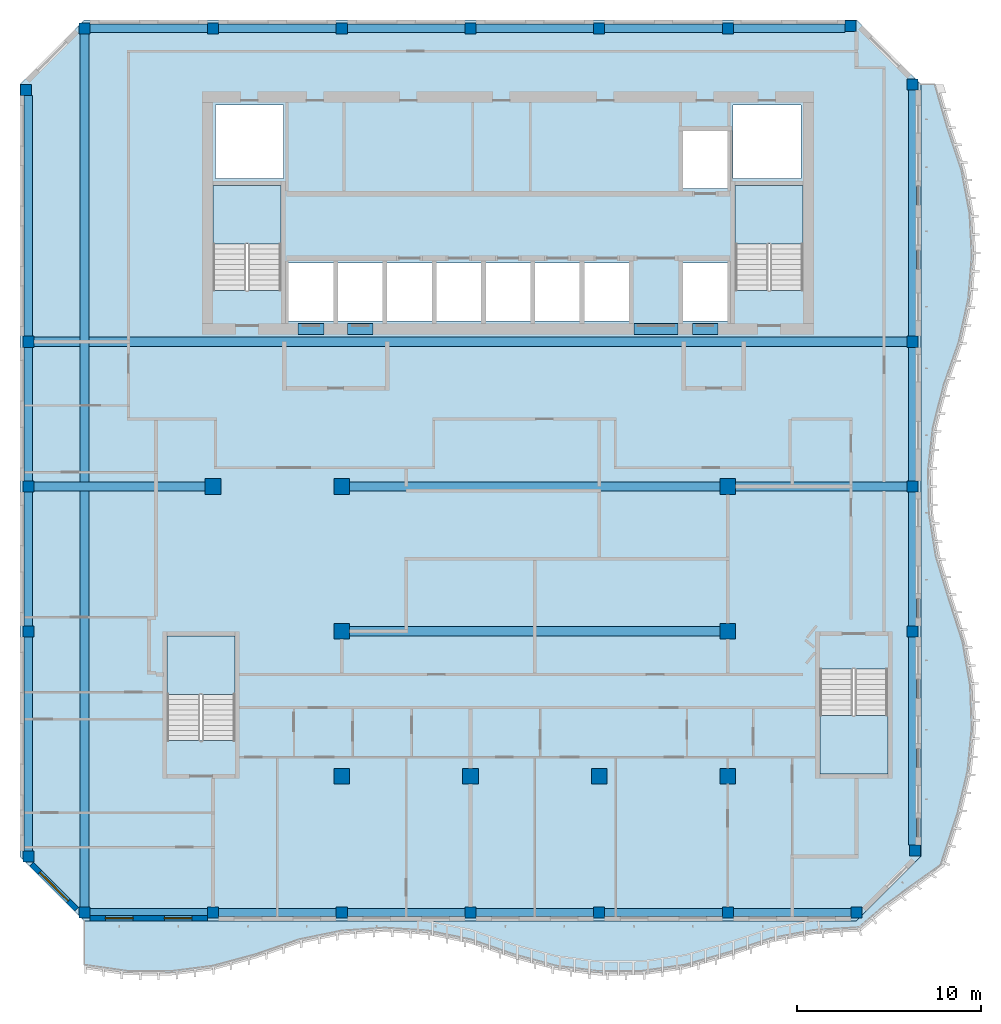
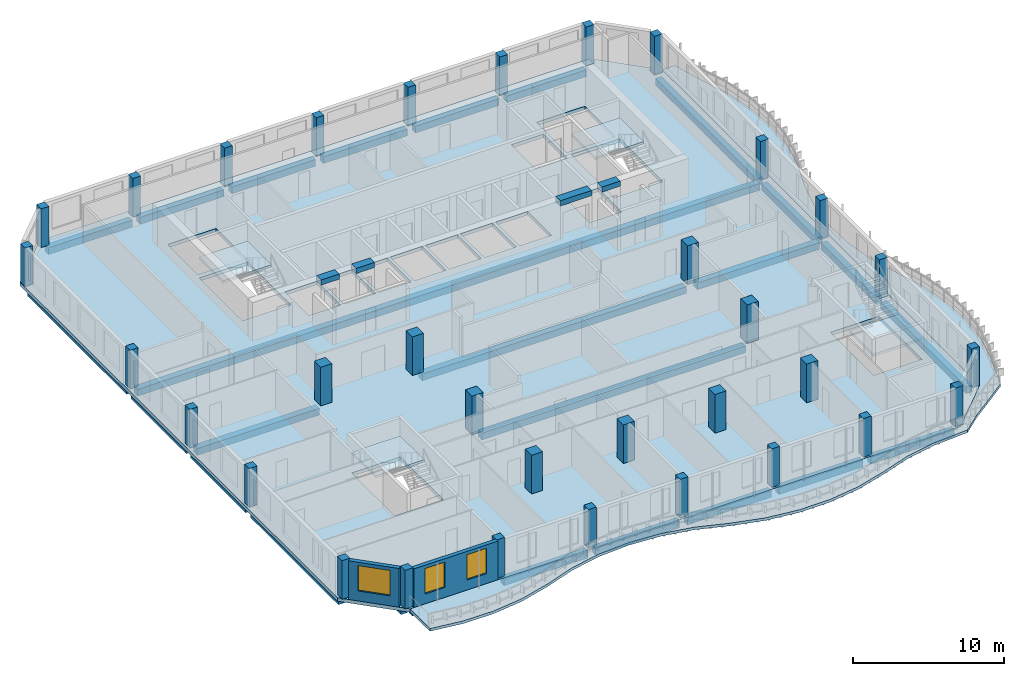
# One storey, part 1 of 17: 33 columns, 30 beams, 6 slabs, 3 windows, 2 walls, 3 openings, 4 elements without a shape of their own.
"""IFC4 building model written with IfcOpenShell, lengths in metres."""

from ifc_helpers import new_model, si_unit, direction, frame, frame_2d, origin, origin_2d, place, context, subcontext, project, spatial, polyline, rectangle, outline, extrude, source, transform, mapped, material, layer, layer_set, material_profile, profile_set, type_object, element, fill, aggregate, save


model = new_model("IFC4")

# Units and contexts
model_context = context("Model", 3, precision=1e-05, world=origin(), true_north=direction((0.0, 1.0)))
body_context = subcontext(model_context, "Body", "Model", "MODEL_VIEW")
ifc_project = project(units=[si_unit("LENGTHUNIT", "METRE"), si_unit("AREAUNIT", "SQUARE_METRE"), si_unit("VOLUMEUNIT", "CUBIC_METRE"), si_unit("PLANEANGLEUNIT", "RADIAN"), si_unit("MASSUNIT", "GRAM", prefix="KILO")], contexts=[model_context])

# Site, building, storey
site_placement = place(None, origin())
site = spatial("IfcSite", under=ifc_project, at=site_placement, CompositionType="ELEMENT")
building_placement = place(site_placement, origin())
building = spatial("IfcBuilding", under=site, at=building_placement, Name="Kilnfold Tower and Market Hall", CompositionType="ELEMENT")
storey_placement = place(building_placement, frame((0.0, 0.0, 298.39990234375)))
storey = spatial("IfcBuildingStorey", under=building, at=storey_placement, Name="L74", CompositionType="ELEMENT", Elevation=298.39990234375)

# Columns
ifc_material_1 = material(Name="Concrete C60", Category="concrete")
ifc_material_profile_1 = material_profile(ifc_material_1, rectangle(XDim=0.60009765625, YDim=0.60009765625, at=origin_2d()), Name="RC 600x600")
ifc_profile_set_1 = profile_set([ifc_material_profile_1], Name="Concrete C60")
column_type_1 = type_object("IfcColumnType", Name="COLUMN 600X600 C60", PredefinedType="COLUMN", material=ifc_profile_set_1)
shared_shape_1 = source(origin(), body_context, "Body", "SweptSolid", [
    extrude(rectangle(XDim=0.60009765625, YDim=0.60009765625, at=origin_2d()), origin(), (0.0, 0.0, 1.0), 3.1201171875),
])
for number, where, z_axis, x_axis, name in (
    (1, (-25.181884765625, 21.681884765625, 0.0), (0.0, 0.0, 1.0), (1.0, 0.0, 0.0), "Column C-B9-1G"),
    (2, (-25.050048828125, -20.0, 0.0), (0.0, 0.0, 1.0), (1.0, 0.0, 0.0), "Column C-B9-1B"),
    (3, (-25.050048828125, -7.75, 0.0), (0.0, 0.0, 1.0), (1.0, 0.0, 0.0), "Column C-B9-1D"),
    (4, (-25.050048828125, 0.125, 0.0), (0.0, 0.0, 1.0), (1.0, 0.0, 0.0), "Column C-B9-1E"),
    (5, (-25.050048828125, 8.0, 0.0), (0.0, 0.0, 1.0), (1.0, 0.0, 0.0), "Column C-B9-1F"),
    (6, (-22.0, -23.050048828125, 0.0), (0.0, 0.0, 1.0), (1.0, 0.0, 0.0), "Column C-B9-2A"),
    (7, (-22.0, 25.050048828125, 0.0), (0.0, 0.0, 1.0), (1.0, 0.0, 0.0), "Column C-B9-2H"),
    (8, (-15.0, -23.050048828125, 0.0), (0.0, 0.0, 1.0), (1.0, 0.0, 0.0), "Column C-B9-3A"),
    (9, (-15.0, 25.050048828125, 0.0), (0.0, 0.0, 1.0), (1.0, 0.0, 0.0), "Column C-B9-3H"),
    (10, (-8.0, -23.050048828125, 0.0), (0.0, 0.0, 1.0), (1.0, 0.0, 0.0), "Column C-B9-4A"),
    (11, (-8.0, 25.050048828125, 0.0), (0.0, 0.0, 1.0), (1.0, 0.0, 0.0), "Column C-B9-4H"),
    (12, (-1.0, -23.050048828125, 0.0), (0.0, 0.0, 1.0), (1.0, 0.0, 0.0), "Column C-B9-5A"),
    (13, (-1.0, 25.050048828125, 0.0), (0.0, 0.0, 1.0), (1.0, 0.0, 0.0), "Column C-B9-5H"),
    (14, (6.0, -23.050048828125, 0.0), (0.0, 0.0, 1.0), (1.0, 0.0, 0.0), "Column C-B9-6A"),
    (15, (6.0, 25.050048828125, 0.0), (0.0, 0.0, 1.0), (1.0, 0.0, 0.0), "Column C-B9-6H"),
    (16, (13.0, -23.050048828125, 0.0), (0.0, 0.0, 1.0), (1.0, 0.0, 0.0), "Column C-B9-7A"),
    (17, (13.0, 25.050048828125, 0.0), (0.0, 0.0, 1.0), (1.0, 0.0, 0.0), "Column C-B9-7H"),
    (18, (19.681884765625, 25.181884765625, 0.0), (0.0, 0.0, 1.0), (1.0, 0.0, 0.0), "Column C-B9-8H"),
    (19, (20.0, -23.050048828125, 0.0), (0.0, 0.0, 1.0), (1.0, 0.0, 0.0), "Column C-B9-8A"),
    (20, (23.050048828125, -7.75, 0.0), (0.0, 0.0, 1.0), (1.0, 0.0, 0.0), "Column C-B9-9D"),
    (21, (23.050048828125, 0.125, 0.0), (0.0, 0.0, 1.0), (1.0, 0.0, 0.0), "Column C-B9-9E"),
    (22, (23.050048828125, 8.0, 0.0), (0.0, 0.0, 1.0), (1.0, 0.0, 0.0), "Column C-B9-9F"),
    (23, (23.050048828125, 22.0, 0.0), (0.0, 0.0, 1.0), (1.0, 0.0, 0.0), "Column C-B9-9G"),
    (24, (23.181884765625, -19.681884765625, 0.0), (0.0, 0.0, 1.0), (1.0, 0.0, 0.0), "Column C-B9-9B"),
):
    element("IfcColumn", number, at=place(storey_placement, frame(where, z_axis=z_axis, x_axis=x_axis)), inside=storey, type_object=column_type_1, Name=name, PredefinedType="COLUMN", context=body_context, shape_type="MappedRepresentation", body=[
        mapped(shared_shape_1, transform((0.0, 0.0, 0.0))),
    ])
ifc_material_2 = material(Name="Concrete C60", Category="concrete")
ifc_material_profile_2 = material_profile(ifc_material_2, rectangle(XDim=0.85009765625, YDim=0.85009765625, at=origin_2d()), Name="RC 850x850")
ifc_profile_set_2 = profile_set([ifc_material_profile_2], Name="Concrete C60")
column_type_2 = type_object("IfcColumnType", Name="COLUMN 850X850 C60", PredefinedType="COLUMN", material=ifc_profile_set_2)
shared_shape_2 = source(origin(), body_context, "Body", "SweptSolid", [
    extrude(rectangle(XDim=0.85009765625, YDim=0.85009765625, at=origin_2d()), origin(), (0.0, 0.0, 1.0), 3.1201171875),
])
for number, where, z_axis, x_axis, name in (
    (25, (-15.0, 0.125, 0.0), (0.0, 0.0, 1.0), (1.0, 0.0, 0.0), "Column C-B9-3E"),
    (26, (-8.0, -15.625, 0.0), (0.0, 0.0, 1.0), (1.0, 0.0, 0.0), "Column C-B9-4C"),
    (27, (-8.0, -7.75, 0.0), (0.0, 0.0, 1.0), (1.0, 0.0, 0.0), "Column C-B9-4D"),
    (28, (-8.0, 0.125, 0.0), (0.0, 0.0, 1.0), (1.0, 0.0, 0.0), "Column C-B9-4E"),
    (29, (-1.0, -15.625, 0.0), (0.0, 0.0, 1.0), (1.0, 0.0, 0.0), "Column C-B9-5C"),
    (30, (6.0, -15.625, 0.0), (0.0, 0.0, 1.0), (1.0, 0.0, 0.0), "Column C-B9-6C"),
    (31, (13.0, -15.625, 0.0), (0.0, 0.0, 1.0), (1.0, 0.0, 0.0), "Column C-B9-7C"),
    (32, (13.0, -7.75, 0.0), (0.0, 0.0, 1.0), (1.0, 0.0, 0.0), "Column C-B9-7D"),
    (33, (13.0, 0.125, 0.0), (0.0, 0.0, 1.0), (1.0, 0.0, 0.0), "Column C-B9-7E"),
):
    element("IfcColumn", number, at=place(storey_placement, frame(where, z_axis=z_axis, x_axis=x_axis)), inside=storey, type_object=column_type_2, Name=name, PredefinedType="COLUMN", context=body_context, shape_type="MappedRepresentation", body=[
        mapped(shared_shape_2, transform((0.0, 0.0, 0.0))),
    ])

# Beams
ifc_material_3 = material(Name="Concrete C50", Category="concrete")
ifc_material_profile_3 = material_profile(ifc_material_3, rectangle(XDim=0.60009765625, YDim=0.419921875, at=origin_2d()), Name="RC 600x420")
ifc_profile_set_3 = profile_set([ifc_material_profile_3], Name="Concrete C50")
beam_type_1 = type_object("IfcBeamType", Name="COUPLING BEAM 600X420 C50", PredefinedType="BEAM", material=ifc_profile_set_3)
shared_shape_3 = source(origin(), body_context, "Body", "SweptSolid", [
    extrude(rectangle(XDim=0.60009765625, YDim=0.419921875, at=origin_2d()), origin(), (0.0, 0.0, 1.0), 1.400146484375),
])
beam_1_placement = place(storey_placement, frame((-10.3701171875, 8.699951171875, 2.91015625), z_axis=(1.0, 0.0, 0.0), x_axis=(0.0, 1.0, 0.0)))
element("IfcBeam", 34, at=beam_1_placement, inside=storey, type_object=beam_type_1, Name="Coupling beam CB420-50-CORE.30", PredefinedType="BEAM", context=body_context, shape_type="MappedRepresentation", body=[
    mapped(shared_shape_3, transform((0.0, 0.0, 0.0))),
])
shared_shape_4 = source(origin(), body_context, "Body", "SweptSolid", [
    extrude(rectangle(XDim=0.60009765625, YDim=0.419921875, at=origin_2d()), origin(), (0.0, 0.0, 1.0), 1.39990234375),
])
for number, where, z_axis, x_axis, name in (
    (35, (-7.68994140625, 8.699951171875, 2.91015625), (1.0, 0.0, 0.0), (0.0, 1.0, 0.0), "Coupling beam CB420-50-CORE.31"),
    (36, (11.070068359375, 8.699951171875, 2.91015625), (1.0, 0.0, 0.0), (0.0, 1.0, 0.0), "Coupling beam CB420-50-CORE.33"),
):
    element("IfcBeam", number, at=place(storey_placement, frame(where, z_axis=z_axis, x_axis=x_axis)), inside=storey, type_object=beam_type_1, Name=name, PredefinedType="BEAM", context=body_context, shape_type="MappedRepresentation", body=[
        mapped(shared_shape_4, transform((0.0, 0.0, 0.0))),
    ])
shared_shape_5 = source(origin(), body_context, "Body", "SweptSolid", [
    extrude(rectangle(XDim=0.60009765625, YDim=0.419921875, at=origin_2d()), origin(), (0.0, 0.0, 1.0), 2.400146484375),
])
beam_2_placement = place(storey_placement, frame((7.889892578125, 8.699951171875, 2.91015625), z_axis=(1.0, 0.0, 0.0), x_axis=(0.0, 1.0, 0.0)))
element("IfcBeam", 37, at=beam_2_placement, inside=storey, type_object=beam_type_1, Name="Coupling beam CB420-50-CORE.32", PredefinedType="BEAM", context=body_context, shape_type="MappedRepresentation", body=[
    mapped(shared_shape_5, transform((0.0, 0.0, 0.0))),
])
ifc_material_4 = material(Name="Concrete C45", Category="concrete")
ifc_material_profile_4 = material_profile(ifc_material_4, rectangle(XDim=0.449951171875, YDim=0.550048828125, at=origin_2d()), Name="RC 450x550")
ifc_profile_set_4 = profile_set([ifc_material_profile_4], Name="Concrete C45")
beam_type_2 = type_object("IfcBeamType", Name="EDGE BEAM 450X550 C45", PredefinedType="BEAM", material=ifc_profile_set_4)
shared_shape_6 = source(origin(), body_context, "Body", "SweptSolid", [
    extrude(rectangle(XDim=0.449951171875, YDim=0.550048828125, at=origin_2d()), origin(), (0.0, 0.0, 1.0), 6.39990234375),
])
for number, where, z_axis, x_axis, name in (
    (38, (-21.699951171875, -23.050048828125, -0.554931640625), (1.0, 0.0, 0.0), (0.0, 1.0, 0.0), "Beam EB550-B9.38"),
    (39, (-14.699951171875, -23.050048828125, -0.554931640625), (1.0, 0.0, 0.0), (0.0, 1.0, 0.0), "Beam EB550-B9.39"),
    (40, (-7.699951171875, -23.050048828125, -0.554931640625), (1.0, 0.0, 0.0), (0.0, 1.0, 0.0), "Beam EB550-B9.40"),
    (41, (-0.699951171875, -23.050048828125, -0.554931640625), (1.0, 0.0, 0.0), (0.0, 1.0, 0.0), "Beam EB550-B9.41"),
    (42, (6.300048828125, -23.050048828125, -0.554931640625), (1.0, 0.0, 0.0), (0.0, 1.0, 0.0), "Beam EB550-B9.42"),
    (43, (13.300048828125, -23.050048828125, -0.554931640625), (1.0, 0.0, 0.0), (0.0, 1.0, 0.0), "Beam EB550-B9.43"),
    (44, (-21.699951171875, 25.050048828125, -0.554931640625), (1.0, 0.0, 0.0), (0.0, 1.0, 0.0), "Beam EB550-B9.49"),
    (45, (-14.699951171875, 25.050048828125, -0.554931640625), (1.0, 0.0, 0.0), (0.0, 1.0, 0.0), "Beam EB550-B9.50"),
    (46, (-7.699951171875, 25.050048828125, -0.554931640625), (1.0, 0.0, 0.0), (0.0, 1.0, 0.0), "Beam EB550-B9.51"),
    (47, (-0.699951171875, 25.050048828125, -0.554931640625), (1.0, 0.0, 0.0), (0.0, 1.0, 0.0), "Beam EB550-B9.52"),
    (48, (6.300048828125, 25.050048828125, -0.554931640625), (1.0, 0.0, 0.0), (0.0, 1.0, 0.0), "Beam EB550-B9.53"),
):
    element("IfcBeam", number, at=place(storey_placement, frame(where, z_axis=z_axis, x_axis=x_axis)), inside=storey, type_object=beam_type_2, Name=name, PredefinedType="BEAM", context=body_context, shape_type="MappedRepresentation", body=[
        mapped(shared_shape_6, transform((0.0, 0.0, 0.0))),
    ])
ifc_material_5 = material(Name="Concrete C45", Category="concrete")
ifc_material_profile_5 = material_profile(ifc_material_5, rectangle(XDim=0.5, YDim=0.550048828125, at=origin_2d()), Name="RC 500x550")
ifc_profile_set_5 = profile_set([ifc_material_profile_5], Name="Concrete C45")
beam_type_3 = type_object("IfcBeamType", Name="BEAM 500X550 C45", PredefinedType="BEAM", material=ifc_profile_set_5)
shared_shape_7 = source(origin(), body_context, "Body", "SweptSolid", [
    extrude(rectangle(XDim=0.5, YDim=0.550048828125, at=origin_2d()), origin(), (0.0, 0.0, 1.0), 20.14990234375),
])
for number, where, z_axis, x_axis, name in (
    (49, (-7.574951171875, -7.75, -0.554931640625), (1.0, 0.0, 0.0), (0.0, 1.0, 0.0), "Beam BB550-B9.44"),
    (50, (-7.574951171875, 0.1201171875, -0.554931640625), (1.0, 0.0, 0.0), (0.0, 1.0, 0.0), "Beam BB550-B9.46"),
):
    element("IfcBeam", number, at=place(storey_placement, frame(where, z_axis=z_axis, x_axis=x_axis)), inside=storey, type_object=beam_type_3, Name=name, PredefinedType="BEAM", context=body_context, shape_type="MappedRepresentation", body=[
        mapped(shared_shape_7, transform((0.0, 0.0, 0.0))),
    ])
shared_shape_8 = source(origin(), body_context, "Body", "SweptSolid", [
    extrude(rectangle(XDim=0.5, YDim=0.550048828125, at=origin_2d()), origin(), (0.0, 0.0, 1.0), 9.324951171875),
])
for number, where, z_axis, x_axis, name in (
    (51, (-24.75, 0.1201171875, -0.554931640625), (1.0, 0.0, 0.0), (0.0, 1.0, 0.0), "Beam BB550-B9.45"),
    (52, (13.425048828125, 0.1201171875, -0.554931640625), (1.0, 0.0, 0.0), (0.0, 1.0, 0.0), "Beam BB550-B9.47"),
):
    element("IfcBeam", number, at=place(storey_placement, frame(where, z_axis=z_axis, x_axis=x_axis)), inside=storey, type_object=beam_type_3, Name=name, PredefinedType="BEAM", context=body_context, shape_type="MappedRepresentation", body=[
        mapped(shared_shape_8, transform((0.0, 0.0, 0.0))),
    ])
shared_shape_9 = source(origin(), body_context, "Body", "SweptSolid", [
    extrude(rectangle(XDim=0.5, YDim=0.550048828125, at=origin_2d()), origin(), (0.0, 0.0, 1.0), 47.5),
])
for number, where, z_axis, x_axis, name in (
    (53, (-24.75, 8.0, -0.554931640625), (1.0, 0.0, 0.0), (0.0, 1.0, 0.0), "Beam BB550-B9.48"),
    (54, (-22.0, -22.75, -0.554931640625), (0.0, 1.0, 0.0), (-1.0, 0.0, 0.0), "Beam BB550-B9.59"),
):
    element("IfcBeam", number, at=place(storey_placement, frame(where, z_axis=z_axis, x_axis=x_axis)), inside=storey, type_object=beam_type_3, Name=name, PredefinedType="BEAM", context=body_context, shape_type="MappedRepresentation", body=[
        mapped(shared_shape_9, transform((0.0, 0.0, 0.0))),
    ])
shared_shape_10 = source(origin(), body_context, "Body", "SweptSolid", [
    extrude(rectangle(XDim=0.449951171875, YDim=0.550048828125, at=origin_2d()), origin(), (0.0, 0.0, 1.0), 6.081787109375),
])
beam_3_placement = place(storey_placement, frame((13.300048828125, 25.050048828125, -0.554931640625), z_axis=(1.0, 0.0, 0.0), x_axis=(0.0, 1.0, 0.0)))
element("IfcBeam", 55, at=beam_3_placement, inside=storey, type_object=beam_type_2, Name="Beam EB550-B9.54", PredefinedType="BEAM", context=body_context, shape_type="MappedRepresentation", body=[
    mapped(shared_shape_10, transform((0.0, 0.0, 0.0))),
])
shared_shape_11 = source(origin(), body_context, "Body", "SweptSolid", [
    extrude(rectangle(XDim=0.449951171875, YDim=0.550048828125, at=origin_2d()), origin(), (0.0, 0.0, 1.0), 11.64990234375),
])
beam_4_placement = place(storey_placement, frame((-25.050048828125, -19.699951171875, -0.554931640625), z_axis=(0.0, 1.0, 0.0), x_axis=(-1.0, 0.0, 0.0)))
element("IfcBeam", 56, at=beam_4_placement, inside=storey, type_object=beam_type_2, Name="Beam EB550-B9.55", PredefinedType="BEAM", context=body_context, shape_type="MappedRepresentation", body=[
    mapped(shared_shape_11, transform((0.0, 0.0, 0.0))),
])
shared_shape_12 = source(origin(), body_context, "Body", "SweptSolid", [
    extrude(rectangle(XDim=0.449951171875, YDim=0.550048828125, at=origin_2d()), origin(), (0.0, 0.0, 1.0), 7.27490234375),
])
for number, where, z_axis, x_axis, name in (
    (57, (-25.050048828125, -7.449951171875, -0.554931640625), (0.0, 1.0, 0.0), (-1.0, 0.0, 0.0), "Beam EB550-B9.56"),
    (58, (-25.050048828125, 0.425048828125, -0.554931640625), (0.0, 1.0, 0.0), (-1.0, 0.0, 0.0), "Beam EB550-B9.57"),
    (59, (23.050048828125, -7.449951171875, -0.554931640625), (0.0, 1.0, 0.0), (-1.0, 0.0, 0.0), "Beam EB550-B9.61"),
    (60, (23.050048828125, 0.425048828125, -0.554931640625), (0.0, 1.0, 0.0), (-1.0, 0.0, 0.0), "Beam EB550-B9.62"),
):
    element("IfcBeam", number, at=place(storey_placement, frame(where, z_axis=z_axis, x_axis=x_axis)), inside=storey, type_object=beam_type_2, Name=name, PredefinedType="BEAM", context=body_context, shape_type="MappedRepresentation", body=[
        mapped(shared_shape_12, transform((0.0, 0.0, 0.0))),
    ])
shared_shape_13 = source(origin(), body_context, "Body", "SweptSolid", [
    extrude(rectangle(XDim=0.449951171875, YDim=0.550048828125, at=origin_2d()), origin(), (0.0, 0.0, 1.0), 13.081787109375),
])
beam_5_placement = place(storey_placement, frame((-25.050048828125, 8.300048828125, -0.554931640625), z_axis=(0.0, 1.0, 0.0), x_axis=(-1.0, 0.0, 0.0)))
element("IfcBeam", 61, at=beam_5_placement, inside=storey, type_object=beam_type_2, Name="Beam EB550-B9.58", PredefinedType="BEAM", context=body_context, shape_type="MappedRepresentation", body=[
    mapped(shared_shape_13, transform((0.0, 0.0, 0.0))),
])
shared_shape_14 = source(origin(), body_context, "Body", "SweptSolid", [
    extrude(rectangle(XDim=0.449951171875, YDim=0.550048828125, at=origin_2d()), origin(), (0.0, 0.0, 1.0), 11.331787109375),
])
beam_6_placement = place(storey_placement, frame((23.050048828125, -19.3818359375, -0.554931640625), z_axis=(0.0, 1.0, 0.0), x_axis=(-1.0, 0.0, 0.0)))
element("IfcBeam", 62, at=beam_6_placement, inside=storey, type_object=beam_type_2, Name="Beam EB550-B9.60", PredefinedType="BEAM", context=body_context, shape_type="MappedRepresentation", body=[
    mapped(shared_shape_14, transform((0.0, 0.0, 0.0))),
])
shared_shape_15 = source(origin(), body_context, "Body", "SweptSolid", [
    extrude(rectangle(XDim=0.449951171875, YDim=0.550048828125, at=origin_2d()), origin(), (0.0, 0.0, 1.0), 13.39990234375),
])
beam_7_placement = place(storey_placement, frame((23.050048828125, 8.300048828125, -0.554931640625), z_axis=(0.0, 1.0, 0.0), x_axis=(-1.0, 0.0, 0.0)))
element("IfcBeam", 63, at=beam_7_placement, inside=storey, type_object=beam_type_2, Name="Beam EB550-B9.63", PredefinedType="BEAM", context=body_context, shape_type="MappedRepresentation", body=[
    mapped(shared_shape_15, transform((0.0, 0.0, 0.0))),
])

# Slabs
ifc_material_6 = material(Name="Concrete C45", Category="concrete")
ifc_layer_1 = layer(ifc_material_6, 0.280029296875)
ifc_layer_set_1 = layer_set([ifc_layer_1], Name="Concrete C45")
slab_type_1 = type_object("IfcSlabType", Name="FLOOR SLAB 280", PredefinedType="FLOOR", material=ifc_layer_set_1)
shared_shape_16 = source(origin(), body_context, "Body", "SweptSolid", [
    extrude(outline(polyline([(-22.0, -23.5), (20.0, -23.5), (23.5, -20.0), (23.5, 22.0), (20.0, 25.5), (-22.0, 25.5), (-25.5, 22.0), (-25.5, -20.0), (-22.0, -23.5)]), holes=[polyline([(-13.800537109375, -8.00048828125), (-13.800537109375, -13.699462890625), (-17.49951171875, -13.699462890625), (-17.49951171875, -8.00048828125), (-13.800537109375, -8.00048828125)]), polyline([(-11.300537109375, 10.800537109375), (-14.99951171875, 10.800537109375), (-14.99951171875, 16.49951171875), (-11.300537109375, 16.49951171875), (-11.300537109375, 10.800537109375)]), polyline([(-11.175048828125, 16.875), (-14.875, 16.875), (-14.875, 20.875), (-11.175048828125, 20.875), (-11.175048828125, 16.875)]), polyline([(-8.455078125, 9.125), (-10.885009765625, 9.125), (-10.885009765625, 12.27490234375), (-8.455078125, 12.27490234375), (-8.455078125, 9.125)]), polyline([(-5.77490234375, 9.125), (-8.205078125, 9.125), (-8.205078125, 12.27490234375), (-5.77490234375, 12.27490234375), (-5.77490234375, 9.125)]), polyline([(-3.094970703125, 9.125), (-5.52490234375, 9.125), (-5.52490234375, 12.27490234375), (-3.094970703125, 12.27490234375), (-3.094970703125, 9.125)]), polyline([(-0.4150390625, 9.125), (-2.844970703125, 9.125), (-2.844970703125, 12.27490234375), (-0.4150390625, 12.27490234375), (-0.4150390625, 9.125)]), polyline([(2.264892578125, 9.125), (-0.1650390625, 9.125), (-0.1650390625, 12.27490234375), (2.264892578125, 12.27490234375), (2.264892578125, 9.125)]), polyline([(4.945068359375, 9.125), (2.514892578125, 9.125), (2.514892578125, 12.27490234375), (4.945068359375, 12.27490234375), (4.945068359375, 9.125)]), polyline([(7.625, 9.125), (5.195068359375, 9.125), (5.195068359375, 12.27490234375), (7.625, 12.27490234375), (7.625, 9.125)]), polyline([(12.985107421875, 9.125), (10.554931640625, 9.125), (10.554931640625, 12.27490234375), (12.985107421875, 12.27490234375), (12.985107421875, 9.125)]), polyline([(12.985107421875, 16.324951171875), (10.554931640625, 16.324951171875), (10.554931640625, 19.47509765625), (12.985107421875, 19.47509765625), (12.985107421875, 16.324951171875)]), polyline([(16.97509765625, 16.875), (13.27490234375, 16.875), (13.27490234375, 20.875), (16.97509765625, 20.875), (16.97509765625, 16.875)]), polyline([(17.099609375, 10.800537109375), (13.400390625, 10.800537109375), (13.400390625, 16.49951171875), (17.099609375, 16.49951171875), (17.099609375, 10.800537109375)]), polyline([(18.00048828125, -9.800537109375), (21.699462890625, -9.800537109375), (21.699462890625, -15.49951171875), (18.00048828125, -15.49951171875), (18.00048828125, -9.800537109375)])]), origin(), (0.0, 0.0, 1.0), 0.280029296875),
])
slab_1_placement = place(storey_placement, frame((0.0, 0.0, -0.280029296875)))
element("IfcSlab", 64, at=slab_1_placement, inside=storey, type_object=slab_type_1, Name="Floor slab L74", PredefinedType="FLOOR", context=body_context, shape_type="MappedRepresentation", body=[
    mapped(shared_shape_16, transform((0.0, 0.0, 0.0))),
])
ifc_material_7 = material(Name="Concrete C40/50", Category="concrete")
ifc_layer_2 = layer(ifc_material_7, 0.219970703125)
ifc_layer_set_2 = layer_set([ifc_layer_2], Name="Concrete C40/50")
slab_type_2 = type_object("IfcSlabType", Name="BALCONY SLAB 220", PredefinedType="FLOOR", material=ifc_layer_set_2)
shared_shape_17 = source(origin(), body_context, "Body", "SweptSolid", [
    extrude(outline(polyline([(-22.0, -23.5), (20.0, -23.5), (23.5, -20.0), (23.5, 22.0), (24.482421875, 22.0), (25.152587890625, 19.666748046875), (25.9326171875, 17.333251953125), (26.375732421875, 15.0), (26.498046875, 12.666748046875), (26.306396484375, 10.333251953125), (25.789794921875, 8.0), (24.974609375, 5.666748046875), (24.381103515625, 3.333251953125), (24.11767578125, 1.0), (24.169189453125, -1.333251953125), (24.538330078125, -3.666748046875), (25.246826171875, -6.0), (25.99658203125, -8.333251953125), (26.404296875, -10.666748046875), (26.49267578125, -13.0), (26.2666015625, -15.333251953125), (25.71337890625, -17.666748046875), (24.78759765625, -20.533203125), (23.015625, -21.84912109375), (21.664306640625, -22.830810546875), (20.230224609375, -24.055908203125), (17.666748046875, -24.225341796875), (15.333251953125, -24.669677734375), (13.0, -25.450439453125), (10.666748046875, -26.119384765625), (8.333251953125, -26.452392578125), (6.0, -26.468505859375), (3.666748046875, -26.169189453125), (1.333251953125, -25.537109375), (-1.0, -24.735595703125), (-3.333251953125, -24.25634765625), (-5.666748046875, -24.10009765625), (-8.0, -24.257568359375), (-10.333251953125, -24.73779296875), (-12.666748046875, -25.5400390625), (-15.0, -26.1708984375), (-17.333251953125, -26.46923828125), (-19.666748046875, -26.45166015625), (-22.0, -26.117431640625), (-22.0, -23.5)])), origin(), (0.0, 0.0, 1.0), 0.219970703125),
])
slab_2_placement = place(storey_placement, frame((0.0, 0.0, -0.219970703125)))
element("IfcSlab", 65, at=slab_2_placement, inside=storey, type_object=slab_type_2, Name="Balcony slab L74", PredefinedType="FLOOR", context=body_context, shape_type="MappedRepresentation", body=[
    mapped(shared_shape_17, transform((0.0, 0.0, 0.0))),
])

# Stair, slab
ifc_material_8 = material(Name="Concrete C40/50", Category="concrete")
stair_type = type_object("IfcStairType", Name="CORE STAIR 1800", PredefinedType="HALF_TURN_STAIR", material=ifc_material_8)
stair_1_placement = place(storey_placement, origin())
stair_1 = element("IfcStair", 66, at=stair_1_placement, inside=storey, type_object=stair_type, Name="L74 ST1", PredefinedType="HALF_TURN_STAIR")
ifc_material_9 = material(Name="Concrete C40/50", Category="concrete")
ifc_layer_3 = layer(ifc_material_9, 0.199951171875)
ifc_layer_set_3 = layer_set([ifc_layer_3], Name="Concrete C40/50")
slab_type_3 = type_object("IfcSlabType", Name="CORE STAIR LANDING 200", PredefinedType="LANDING", material=ifc_layer_set_3)
shared_shape_18 = source(origin(), body_context, "Body", "SweptSolid", [
    extrude(outline(polyline([(-11.300048828125, 13.320068359375), (-11.300048828125, 16.5), (-15.0, 16.5), (-15.0, 13.320068359375), (-11.300048828125, 13.320068359375)])), origin(), (0.0, 0.0, 1.0), 0.2001953125),
])
slab_3_placement = place(storey_placement, frame((0.0, 0.0, 1.5)))
slab_3 = element("IfcSlab", 67, at=slab_3_placement, type_object=slab_type_3, Name="ST1 landing 1", PredefinedType="LANDING", context=body_context, shape_type="MappedRepresentation", body=[
    mapped(shared_shape_18, transform((0.0, 0.0, 0.0))),
])
aggregate(stair_1, [slab_3])

stair_2_placement = place(storey_placement, origin())
stair_2 = element("IfcStair", 68, at=stair_2_placement, inside=storey, type_object=stair_type, Name="L74 ST2", PredefinedType="HALF_TURN_STAIR")
shared_shape_19 = source(origin(), body_context, "Body", "SweptSolid", [
    extrude(outline(polyline([(17.10009765625, 13.320068359375), (17.10009765625, 16.5), (13.39990234375, 16.5), (13.39990234375, 13.320068359375), (17.10009765625, 13.320068359375)])), origin(), (0.0, 0.0, 1.0), 0.2001953125),
])
slab_4_placement = place(storey_placement, frame((0.0, 0.0, 1.5)))
slab_4 = element("IfcSlab", 69, at=slab_4_placement, type_object=slab_type_3, Name="ST2 landing 1", PredefinedType="LANDING", context=body_context, shape_type="MappedRepresentation", body=[
    mapped(shared_shape_19, transform((0.0, 0.0, 0.0))),
])
aggregate(stair_2, [slab_4])

stair_3_placement = place(storey_placement, origin())
stair_3 = element("IfcStair", 70, at=stair_3_placement, inside=storey, type_object=stair_type, Name="L74 ST3", PredefinedType="HALF_TURN_STAIR")
shared_shape_20 = source(origin(), body_context, "Body", "SweptSolid", [
    extrude(outline(polyline([(-13.800048828125, -11.179931640625), (-13.800048828125, -8.0), (-17.5, -8.0), (-17.5, -11.179931640625), (-13.800048828125, -11.179931640625)])), origin(), (0.0, 0.0, 1.0), 0.2001953125),
])
slab_5_placement = place(storey_placement, frame((0.0, 0.0, 1.5)))
slab_5 = element("IfcSlab", 71, at=slab_5_placement, type_object=slab_type_3, Name="ST3 landing 1", PredefinedType="LANDING", context=body_context, shape_type="MappedRepresentation", body=[
    mapped(shared_shape_20, transform((0.0, 0.0, 0.0))),
])
aggregate(stair_3, [slab_5])

stair_4_placement = place(storey_placement, origin())
stair_4 = element("IfcStair", 72, at=stair_4_placement, inside=storey, type_object=stair_type, Name="L74 ST4", PredefinedType="HALF_TURN_STAIR")
shared_shape_21 = source(origin(), body_context, "Body", "SweptSolid", [
    extrude(outline(polyline([(18.0, -12.320068359375), (18.0, -15.5), (21.699951171875, -15.5), (21.699951171875, -12.320068359375), (18.0, -12.320068359375)])), origin(), (0.0, 0.0, 1.0), 0.2001953125),
])
slab_6_placement = place(storey_placement, frame((0.0, 0.0, 1.5)))
slab_6 = element("IfcSlab", 73, at=slab_6_placement, type_object=slab_type_3, Name="ST4 landing 1", PredefinedType="LANDING", context=body_context, shape_type="MappedRepresentation", body=[
    mapped(shared_shape_21, transform((0.0, 0.0, 0.0))),
])
aggregate(stair_4, [slab_6])

# Wall, openings, windows
ifc_material_10 = material(Name="Precast concrete C50/60", Category="concrete")
ifc_layer_4 = layer(ifc_material_10, 0.300048828125)
ifc_layer_set_4 = layer_set([ifc_layer_4], Name="Precast concrete C50/60")
wall_type = type_object("IfcWallType", Name="PRECAST WALL 300", PredefinedType="SOLIDWALL", material=ifc_layer_set_4)
shared_shape_22 = source(origin(), body_context, "Body", "SweptSolid", [
    extrude(rectangle(XDim=6.39990234375, YDim=0.300048828125, at=frame_2d((3.199951171875, 0.0))), origin(), (0.0, 0.0, 1.0), 3.1201171875),
])
wall_1_placement = place(storey_placement, frame((-21.699951171875, -23.35009765625, 0.0), z_axis=(0.0, 0.0, 1.0), x_axis=(1.0, 0.0, 0.0)))
wall_1 = element("IfcWall", 74, at=wall_1_placement, inside=storey, type_object=wall_type, Name="External wall L74 S", PredefinedType="SOLIDWALL", context=body_context, shape_type="MappedRepresentation", body=[
    mapped(shared_shape_22, transform((0.0, 0.0, 0.0))),
])
opening_1_placement = place(wall_1_placement, frame((0.85009765625, 0.0, 0.800048828125)))
opening_1 = element("IfcOpeningElement", 75, at=opening_1_placement, cuts=wall_1, Name="Opening W5", PredefinedType="OPENING", context=body_context, shape_type="SweptSolid", body=[
    extrude(rectangle(XDim=1.5, YDim=2.050048828125, at=frame_2d((0.75, 1.02490234375))), frame((0.0, 0.16015625, 0.0), z_axis=(0.0, -1.0, 0.0), x_axis=(1.0, 0.0, 0.0)), (0.0, 0.0, 1.0), 0.320068359375),
])
opening_2_placement = place(wall_1_placement, frame((4.050048828125, 0.0, 0.800048828125)))
opening_2 = element("IfcOpeningElement", 76, at=opening_2_placement, cuts=wall_1, Name="Opening W5", PredefinedType="OPENING", context=body_context, shape_type="SweptSolid", body=[
    extrude(rectangle(XDim=1.5, YDim=2.050048828125, at=frame_2d((0.75, 1.02490234375))), frame((0.0, 0.16015625, 0.0), z_axis=(0.0, -1.0, 0.0), x_axis=(1.0, 0.0, 0.0)), (0.0, 0.0, 1.0), 0.320068359375),
])
ifc_material_11 = material(Name="Aluminium frame and double glazing", Category="aluminium")
window_type_1 = type_object("IfcWindowType", Name="WINDOW W5 1500X2050", PartitioningType="SINGLE_PANEL", PredefinedType="WINDOW", material=ifc_material_11)
window_1_placement = place(opening_1_placement, origin())
window_1 = element("IfcWindow", 77, at=window_1_placement, inside=storey, type_object=window_type_1, Name="Window W5 L74 S-1", OverallHeight=2.050048828125, OverallWidth=1.5, PartitioningType="SINGLE_PANEL", PredefinedType="WINDOW", context=body_context, shape_type="SweptSolid", body=[
    extrude(rectangle(XDim=1.5, YDim=2.050048828125, at=frame_2d((0.75, 1.02490234375))), frame((0.0, 0.030029296875, 0.0), z_axis=(0.0, -1.0, 0.0), x_axis=(1.0, 0.0, 0.0)), (0.0, 0.0, 1.0), 0.06005859375),
])
fill(opening_1, window_1)
window_2_placement = place(opening_2_placement, origin())
window_2 = element("IfcWindow", 78, at=window_2_placement, inside=storey, type_object=window_type_1, Name="Window W5 L74 S-2", OverallHeight=2.050048828125, OverallWidth=1.5, PartitioningType="SINGLE_PANEL", PredefinedType="WINDOW", context=body_context, shape_type="SweptSolid", body=[
    extrude(rectangle(XDim=1.5, YDim=2.050048828125, at=frame_2d((0.75, 1.02490234375))), frame((0.0, 0.030029296875, 0.0), z_axis=(0.0, -1.0, 0.0), x_axis=(1.0, 0.0, 0.0)), (0.0, 0.0, 1.0), 0.06005859375),
])
fill(opening_2, window_2)

# Wall, opening, window
shared_shape_23 = source(origin(), body_context, "Body", "SweptSolid", [
    extrude(rectangle(XDim=3.46484375, YDim=0.300048828125, at=frame_2d((1.732421875, 0.0))), origin(), (0.0, 0.0, 1.0), 3.1201171875),
])
wall_2_placement = place(storey_placement, frame((-24.868896484375, -20.4189453125, 0.0), z_axis=(0.0, 0.0, 1.0), x_axis=(0.707106781187, -0.707106781187, 0.0)))
wall_2 = element("IfcWall", 79, at=wall_2_placement, inside=storey, type_object=wall_type, Name="External wall L74 SW", PredefinedType="SOLIDWALL", context=body_context, shape_type="MappedRepresentation", body=[
    mapped(shared_shape_23, transform((0.0, 0.0, 0.0))),
])
opening_3_placement = place(wall_2_placement, frame((0.63232421875, 0.0, 0.800048828125)))
opening_3 = element("IfcOpeningElement", 80, at=opening_3_placement, cuts=wall_2, Name="Opening W3", PredefinedType="OPENING", context=body_context, shape_type="SweptSolid", body=[
    extrude(rectangle(XDim=2.199951171875, YDim=2.050048828125, at=frame_2d((1.10009765625, 1.02490234375))), frame((0.0, 0.16015625, 0.0), z_axis=(0.0, -1.0, 0.0), x_axis=(1.0, 0.0, 0.0)), (0.0, 0.0, 1.0), 0.320068359375),
])
ifc_material_12 = material(Name="Aluminium frame and double glazing", Category="aluminium")
window_type_2 = type_object("IfcWindowType", Name="WINDOW W3 2200X2050", PartitioningType="SINGLE_PANEL", PredefinedType="WINDOW", material=ifc_material_12)
window_3_placement = place(opening_3_placement, origin())
window_3 = element("IfcWindow", 81, at=window_3_placement, inside=storey, type_object=window_type_2, Name="Window W3 L74 SW-1", OverallHeight=2.050048828125, OverallWidth=2.199951171875, PartitioningType="SINGLE_PANEL", PredefinedType="WINDOW", context=body_context, shape_type="SweptSolid", body=[
    extrude(rectangle(XDim=2.199951171875, YDim=2.050048828125, at=frame_2d((1.10009765625, 1.02490234375))), frame((0.0, 0.030029296875, 0.0), z_axis=(0.0, -1.0, 0.0), x_axis=(1.0, 0.0, 0.0)), (0.0, 0.0, 1.0), 0.06005859375),
])
fill(opening_3, window_3)

save(model, "model.ifc")
